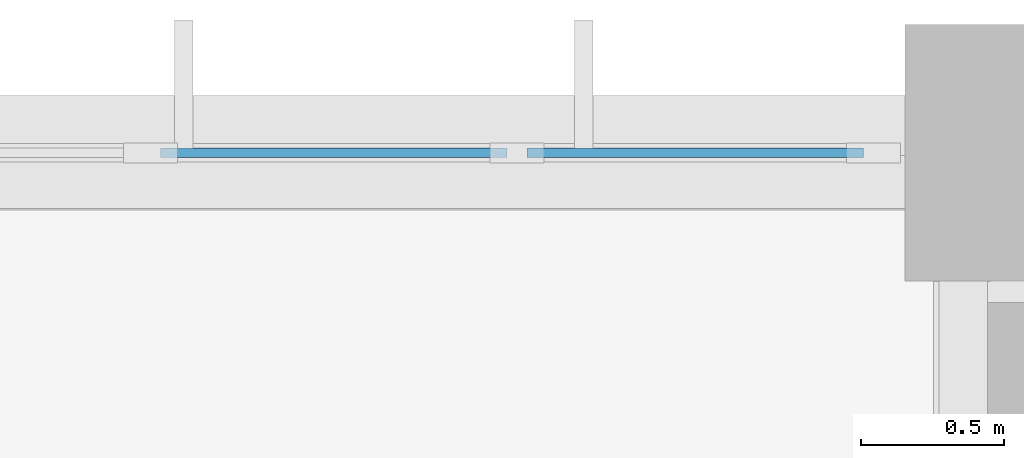
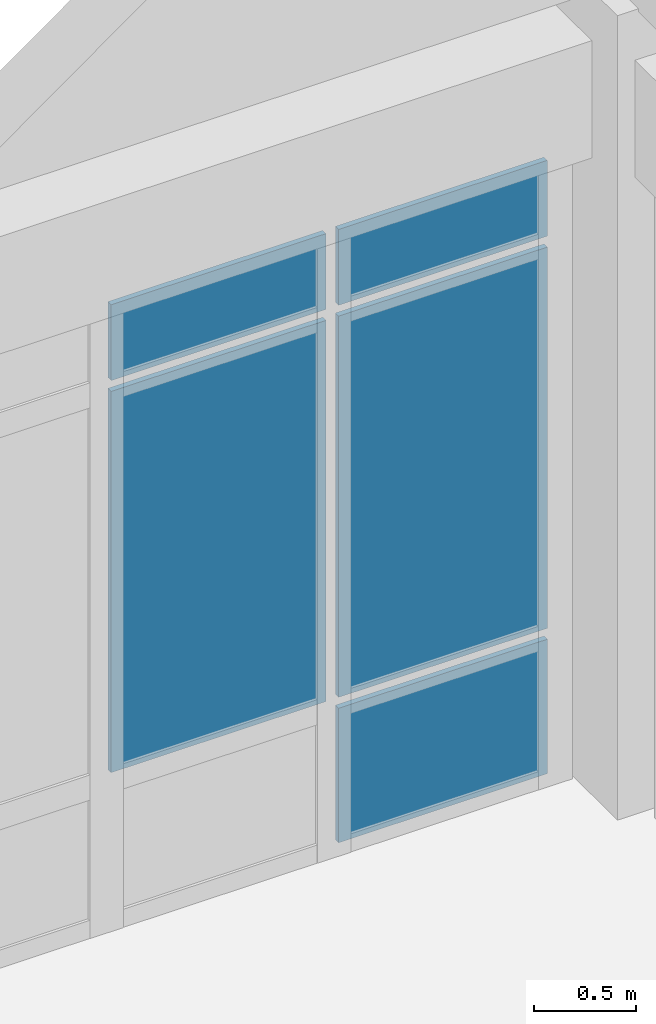
# One storey, part 83 of 138: 5 plates, 1 element without a shape of its own.
"""IFC4 building model written with IfcOpenShell, lengths in metres."""

from ifc_helpers import new_model, si_unit, direction, frame, origin, origin_2d, place, context, subcontext, project, spatial, rectangle, extrude, material, layer, layer_set, type_object, element, aggregate, save


model = new_model("IFC4")

# Units and contexts
model_context = context("Model", 3, precision=1e-05, world=origin(), true_north=direction((0.0, 1.0)))
body_context = subcontext(model_context, "Body", "Model", "MODEL_VIEW")
ifc_project = project(units=[si_unit("LENGTHUNIT", "METRE"), si_unit("AREAUNIT", "SQUARE_METRE"), si_unit("VOLUMEUNIT", "CUBIC_METRE"), si_unit("PLANEANGLEUNIT", "RADIAN"), si_unit("MASSUNIT", "GRAM", prefix="KILO")], contexts=[model_context])

# Site, building, storey
site_placement = place(None, origin())
site = spatial("IfcSite", under=ifc_project, at=site_placement, CompositionType="ELEMENT")
building_placement = place(site_placement, origin())
building = spatial("IfcBuilding", under=site, at=building_placement, Name="Bramfleet General Hospital", CompositionType="ELEMENT")
storey_placement = place(building_placement, origin())
storey = spatial("IfcBuildingStorey", under=building, at=storey_placement, Name="L00", CompositionType="ELEMENT", Elevation=0.0)

# Curtain wall, plates
ifc_material_1 = material(Name="Anodised aluminium and low-E triple glazing", Category="aluminium")
ifc_layer_1 = layer(ifc_material_1, 0.179931640625, Name="CWT-CW-06")
ifc_layer_set_1 = layer_set([ifc_layer_1], Name="Anodised aluminium and low-E triple glazing")
curtain_wall_type = type_object("IfcCurtainWallType", Name="CWT-CW-06", PredefinedType="USERDEFINED", material=ifc_layer_set_1)
curtain_wall_placement = place(storey_placement, origin())
curtain_wall = element("IfcCurtainWall", 1, at=curtain_wall_placement, inside=storey, type_object=curtain_wall_type, Name="L00 Curtain Wall 6", ObjectType="Unitised curtain wall", PredefinedType="USERDEFINED")
ifc_material_2 = material(Name="Low-E laminated safety glass", Category="glass")
ifc_layer_2 = layer(ifc_material_2, 0.031982421875, Name="CWP-GLZ-2")
ifc_layer_set_2 = layer_set([ifc_layer_2], Name="Low-E laminated safety glass")
plate_type = type_object("IfcPlateType", Name="CWP-GLZ-2", PredefinedType="CURTAIN_PANEL", material=ifc_layer_set_2)
plate_1_placement = place(storey_placement, frame((182.5, 117.60009765625, 0.9326171875), z_axis=(0.0, 0.0, 1.0), x_axis=(1.0, 0.0, 0.0)))
plate_1 = element("IfcPlate", 2, at=plate_1_placement, type_object=plate_type, Name="CW-06 panel 5.2", PredefinedType="CURTAIN_PANEL", context=body_context, shape_type="SweptSolid", body=[
    extrude(rectangle(XDim=1.21337890625, YDim=0.031982421875, at=origin_2d()), origin(), (0.0, 0.0, 1.0), 2.27490234375),
])
plate_2_placement = place(storey_placement, frame((182.5, 117.60009765625, 3.2724609375), z_axis=(0.0, 0.0, 1.0), x_axis=(1.0, 0.0, 0.0)))
plate_2 = element("IfcPlate", 3, at=plate_2_placement, type_object=plate_type, Name="CW-06 panel 5.3", PredefinedType="CURTAIN_PANEL", context=body_context, shape_type="SweptSolid", body=[
    extrude(rectangle(XDim=1.21337890625, YDim=0.031982421875, at=origin_2d()), origin(), (0.0, 0.0, 1.0), 0.452392578125),
])
plate_3_placement = place(storey_placement, frame((183.765869140625, 117.60009765625, 0.06494140625), z_axis=(0.0, 0.0, 1.0), x_axis=(1.0, 0.0, 0.0)))
plate_3 = element("IfcPlate", 4, at=plate_3_placement, type_object=plate_type, Name="CW-06 panel 6.1", PredefinedType="CURTAIN_PANEL", context=body_context, shape_type="SweptSolid", body=[
    extrude(rectangle(XDim=1.17822265625, YDim=0.031982421875, at=origin_2d()), origin(), (0.0, 0.0, 1.0), 0.802490234375),
])
plate_4_placement = place(storey_placement, frame((183.765869140625, 117.60009765625, 0.9326171875), z_axis=(0.0, 0.0, 1.0), x_axis=(1.0, 0.0, 0.0)))
plate_4 = element("IfcPlate", 5, at=plate_4_placement, type_object=plate_type, Name="CW-06 panel 6.2", PredefinedType="CURTAIN_PANEL", context=body_context, shape_type="SweptSolid", body=[
    extrude(rectangle(XDim=1.17822265625, YDim=0.031982421875, at=origin_2d()), origin(), (0.0, 0.0, 1.0), 2.27490234375),
])
plate_5_placement = place(storey_placement, frame((183.765869140625, 117.60009765625, 3.2724609375), z_axis=(0.0, 0.0, 1.0), x_axis=(1.0, 0.0, 0.0)))
plate_5 = element("IfcPlate", 6, at=plate_5_placement, type_object=plate_type, Name="CW-06 panel 6.3", PredefinedType="CURTAIN_PANEL", context=body_context, shape_type="SweptSolid", body=[
    extrude(rectangle(XDim=1.17822265625, YDim=0.031982421875, at=origin_2d()), origin(), (0.0, 0.0, 1.0), 0.452392578125),
])
aggregate(curtain_wall, [plate_1, plate_2, plate_3, plate_4, plate_5])

save(model, "model.ifc")
